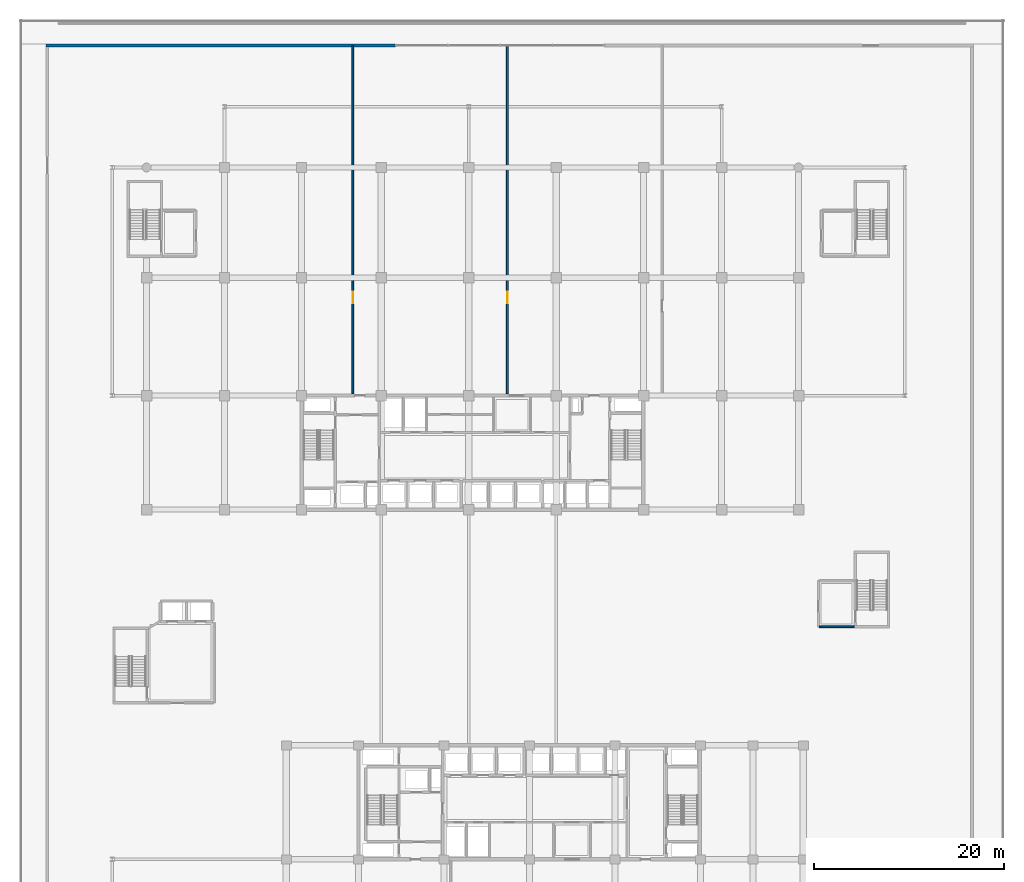
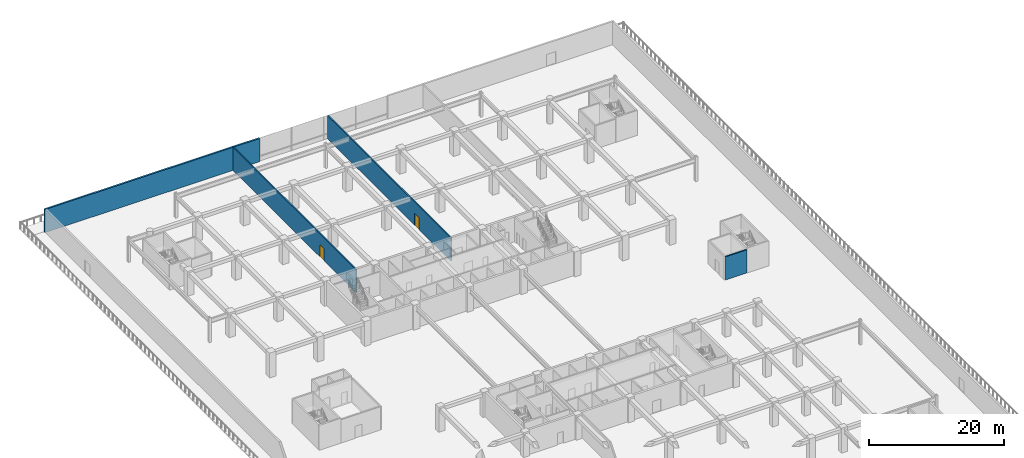
# One storey, part 26 of 43: 4 walls, 2 doors, 2 openings.
"""IFC4 building model written with IfcOpenShell, lengths in metres."""

from ifc_helpers import new_model, si_unit, direction, frame, frame_2d, origin, place, context, subcontext, project, spatial, rectangle, extrude, material, layer, layer_set, type_object, element, fill, save


model = new_model("IFC4")

# Units and contexts
model_context = context("Model", 3, precision=1e-05, world=origin(), true_north=direction((0.0, 1.0)))
body_context = subcontext(model_context, "Body", "Model", "MODEL_VIEW")
ifc_project = project(units=[si_unit("LENGTHUNIT", "METRE"), si_unit("AREAUNIT", "SQUARE_METRE"), si_unit("VOLUMEUNIT", "CUBIC_METRE"), si_unit("PLANEANGLEUNIT", "RADIAN"), si_unit("MASSUNIT", "GRAM", prefix="KILO")], contexts=[model_context])

# Site, building, storey
site_placement = place(None, origin())
site = spatial("IfcSite", under=ifc_project, at=site_placement, CompositionType="ELEMENT")
building_placement = place(site_placement, origin())
building = spatial("IfcBuilding", under=site, at=building_placement, Name="Korimba Cascade Residences", CompositionType="ELEMENT")
storey_placement = place(building_placement, frame((0.0, 0.0, 10.0)))
storey = spatial("IfcBuildingStorey", under=building, at=storey_placement, Name="L02", CompositionType="ELEMENT", Elevation=10.0)

# Walls
ifc_material_1 = material(Name="Precast concrete C40/50", Category="concrete")
ifc_layer_1 = layer(ifc_material_1, 0.300048828125)
ifc_layer_set_1 = layer_set([ifc_layer_1], Name="Precast concrete C40/50")
wall_type_1 = type_object("IfcWallType", Name="EW-STONE-300", PredefinedType="STANDARD", material=ifc_layer_set_1)
wall_1_placement = place(storey_placement, frame((86.0, 104.050048828125, 0.0), z_axis=(0.0, 0.0, 1.0), x_axis=(-1.0, 0.0, 0.0)))
element("IfcWall", 1, at=wall_1_placement, inside=storey, type_object=wall_type_1, Name="L02 North-West Podium Wall", PredefinedType="STANDARD", context=body_context, shape_type="SweptSolid", body=[
    extrude(rectangle(XDim=36.800048828125, YDim=0.300048828125, at=frame_2d((18.39990234375, 0.0))), origin(), (0.0, 0.0, 1.0), 4.199951171875),
])
ifc_material_2 = material(Name="Concrete C40/50", Category="concrete")
ifc_layer_2 = layer(ifc_material_2, 0.199951171875)
ifc_layer_set_2 = layer_set([ifc_layer_2], Name="Concrete C40/50")
wall_type_2 = type_object("IfcWallType", Name="WAL-PART-200", PredefinedType="PARTITIONING", material=ifc_layer_set_2)
wall_2_placement = place(storey_placement, frame((130.60009765625, 42.875, 0.0), z_axis=(0.0, 0.0, 1.0), x_axis=(1.0, 0.0, 0.0)))
element("IfcWall", 2, at=wall_2_placement, inside=storey, type_object=wall_type_2, Name="L02 Partition Wall CW-L02-PLES", PredefinedType="PARTITIONING", context=body_context, shape_type="SweptSolid", body=[
    extrude(rectangle(XDim=3.64990234375, YDim=0.199951171875, at=frame_2d((1.824951171875, 0.0))), origin(), (0.0, 0.0, 1.0), 4.199951171875),
])

# Wall, opening, door
wall_3_placement = place(storey_placement, frame((81.4951171875, 67.39990234375, 0.0), z_axis=(0.0, 0.0, 1.0), x_axis=(0.0, 1.0, 0.0)))
wall_3 = element("IfcWall", 3, at=wall_3_placement, inside=storey, type_object=wall_type_2, Name="L02 Partition Wall WAL-L02-NDIV1", PredefinedType="PARTITIONING", context=body_context, shape_type="SweptSolid", body=[
    extrude(rectangle(XDim=36.6201171875, YDim=0.199951171875, at=frame_2d((18.31005859375, 0.0))), origin(), (0.0, 0.0, 1.0), 4.199951171875),
])
opening_1_placement = place(wall_3_placement, frame((9.5, 0.0, 0.0)))
opening_1 = element("IfcOpeningElement", 4, at=opening_1_placement, cuts=wall_3, Name="Opening D-AM1", PredefinedType="OPENING", context=body_context, shape_type="SweptSolid", body=[
    extrude(rectangle(XDim=1.219970703125, YDim=2.179931640625, at=frame_2d((0.60986328125, 1.08984375))), frame((0.0, 0.10986328125, 0.0), z_axis=(0.0, -1.0, 0.0), x_axis=(1.0, 0.0, 0.0)), (0.0, 0.0, 1.0), 0.219970703125),
])
ifc_material_3 = material(Name="Fire-Rated Glazed Timber Suite Door", Category="wood")
door_type = type_object("IfcDoorType", Name="DR-FD60-1200", OperationType="NOTDEFINED", PredefinedType="DOOR", material=ifc_material_3)
door_1_placement = place(opening_1_placement, origin())
door_1 = element("IfcDoor", 5, at=door_1_placement, inside=storey, type_object=door_type, Name="L02 North Podium Link Door 1", OperationType="SINGLE_SWING_RIGHT", OverallHeight=2.179931640625, OverallWidth=1.219970703125, PredefinedType="DOOR", context=body_context, shape_type="SweptSolid", body=[
    extrude(rectangle(XDim=1.219970703125, YDim=2.179931640625, at=frame_2d((0.60986328125, 1.08984375))), frame((0.0, 0.02490234375, 0.0), z_axis=(0.0, -1.0, 0.0), x_axis=(1.0, 0.0, 0.0)), (0.0, 0.0, 1.0), 0.050048828125),
])
fill(opening_1, door_1)

wall_4_placement = place(storey_placement, frame((97.77001953125, 67.39990234375, 0.0), z_axis=(0.0, 0.0, 1.0), x_axis=(0.0, 1.0, 0.0)))
wall_4 = element("IfcWall", 6, at=wall_4_placement, inside=storey, type_object=wall_type_2, Name="L02 Partition Wall WAL-L02-NDIV2", PredefinedType="PARTITIONING", context=body_context, shape_type="SweptSolid", body=[
    extrude(rectangle(XDim=36.6201171875, YDim=0.199951171875, at=frame_2d((18.31005859375, 0.0))), origin(), (0.0, 0.0, 1.0), 4.199951171875),
])
opening_2_placement = place(wall_4_placement, frame((9.5, 0.0, 0.0)))
opening_2 = element("IfcOpeningElement", 7, at=opening_2_placement, cuts=wall_4, Name="Opening D-AM1", PredefinedType="OPENING", context=body_context, shape_type="SweptSolid", body=[
    extrude(rectangle(XDim=1.219970703125, YDim=2.179931640625, at=frame_2d((0.60986328125, 1.08984375))), frame((0.0, 0.10986328125, 0.0), z_axis=(0.0, -1.0, 0.0), x_axis=(1.0, 0.0, 0.0)), (0.0, 0.0, 1.0), 0.219970703125),
])
door_2_placement = place(opening_2_placement, origin())
door_2 = element("IfcDoor", 8, at=door_2_placement, inside=storey, type_object=door_type, Name="L02 North Podium Link Door 2", OperationType="SINGLE_SWING_LEFT", OverallHeight=2.179931640625, OverallWidth=1.219970703125, PredefinedType="DOOR", context=body_context, shape_type="SweptSolid", body=[
    extrude(rectangle(XDim=1.219970703125, YDim=2.179931640625, at=frame_2d((0.60986328125, 1.08984375))), frame((0.0, 0.02490234375, 0.0), z_axis=(0.0, -1.0, 0.0), x_axis=(1.0, 0.0, 0.0)), (0.0, 0.0, 1.0), 0.050048828125),
])
fill(opening_2, door_2)

save(model, "model.ifc")
